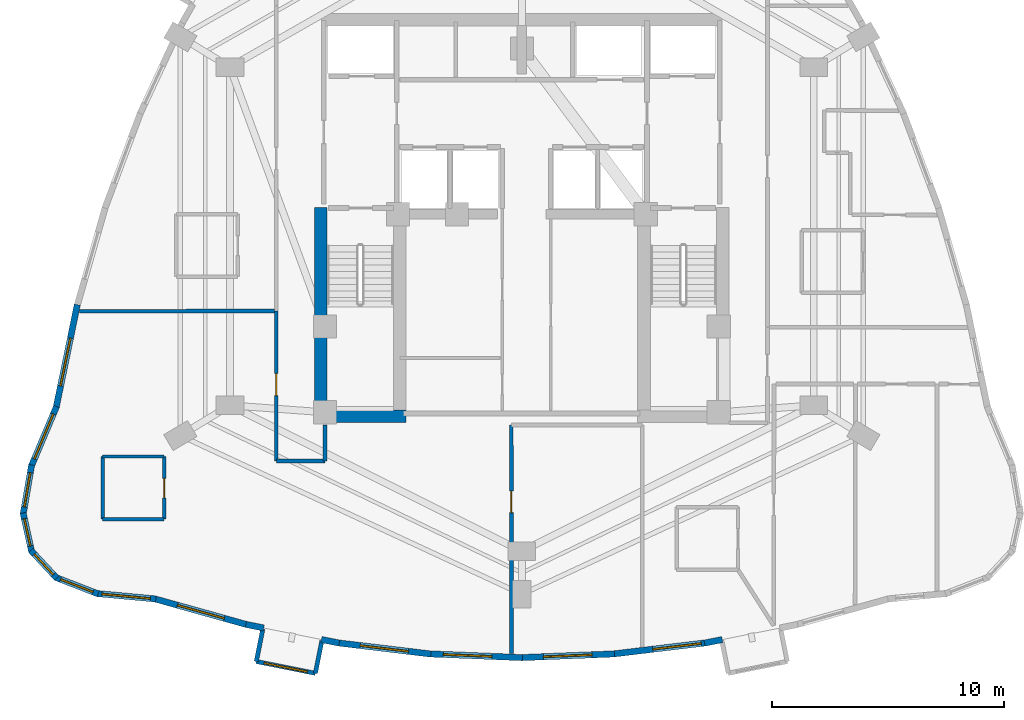
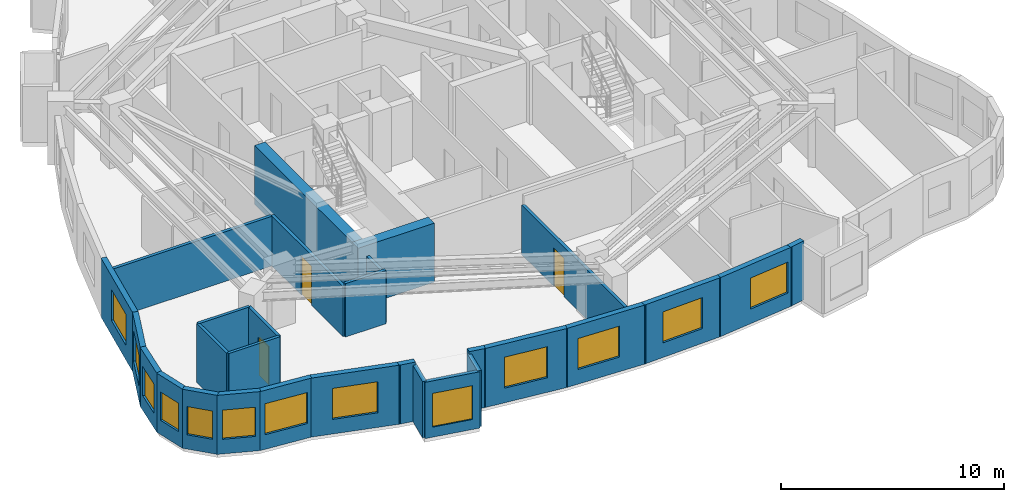
# One storey, part 6 of 12: 29 walls, 13 windows, 3 doors, 16 openings.
"""IFC4 building model written with IfcOpenShell, lengths in metres."""

from ifc_helpers import new_model, si_unit, direction, frame, frame_2d, origin, place, context, subcontext, project, spatial, rectangle, extrude, material, layer, layer_set, type_object, element, fill, save


model = new_model("IFC4")

# Units and contexts
model_context = context("Model", 3, precision=1e-05, world=origin(), true_north=direction((0.0, 1.0)))
body_context = subcontext(model_context, "Body", "Model", "MODEL_VIEW")
ifc_project = project(units=[si_unit("LENGTHUNIT", "METRE"), si_unit("AREAUNIT", "SQUARE_METRE"), si_unit("VOLUMEUNIT", "CUBIC_METRE"), si_unit("PLANEANGLEUNIT", "RADIAN"), si_unit("MASSUNIT", "GRAM", prefix="KILO")], contexts=[model_context])

# Site, building, storey
site_placement = place(None, origin())
site = spatial("IfcSite", under=ifc_project, at=site_placement, CompositionType="ELEMENT")
building_placement = place(site_placement, origin())
building = spatial("IfcBuilding", under=site, at=building_placement, Name="Miruveldt Soraemaru", CompositionType="ELEMENT")
storey_placement = place(building_placement, frame((0.0, 0.0, 145.89990234375)))
storey = spatial("IfcBuildingStorey", under=building, at=storey_placement, Name="L40", CompositionType="ELEMENT", Elevation=145.89990234375)

# Walls
ifc_material_1 = material(Name="White powder-coated aluminium EN AW-6060 T6", Category="aluminium")
ifc_layer_1 = layer(ifc_material_1, 0.18994140625, Name="White powder-coated aluminium EN AW-6060 T6", Category="aluminium")
ifc_layer_set_1 = layer_set([ifc_layer_1], Name="White powder-coated aluminium EN AW-6060 T6")
wall_type_1 = type_object("IfcWallType", Name="WALL-BAY-ALU190", PredefinedType="SOLIDWALL", material=ifc_layer_set_1)
wall_1_placement = place(storey_placement, frame((32.818603515625, 26.140625, 0.0), z_axis=(0.0, 0.0, 1.0), x_axis=(-0.196182033934, -0.980567493629, 0.0)))
element("IfcWall", 1, at=wall_1_placement, inside=storey, type_object=wall_type_1, Name="L40 Bay Window Side Cheek 2L", PredefinedType="SOLIDWALL", context=body_context, shape_type="SweptSolid", body=[
    extrude(rectangle(XDim=1.4248046875, YDim=0.18994140625, at=frame_2d((0.71240234375, 0.0))), origin(), (0.0, 0.0, 1.0), 3.085205078125),
])
wall_2_placement = place(storey_placement, frame((35.088623046875, 24.2333984375, 0.0), z_axis=(0.0, 0.0, 1.0), x_axis=(0.196149079112, 0.980574086321, 0.0)))
element("IfcWall", 2, at=wall_2_placement, inside=storey, type_object=wall_type_1, Name="L40 Bay Window Side Cheek 2R", PredefinedType="SOLIDWALL", context=body_context, shape_type="SweptSolid", body=[
    extrude(rectangle(XDim=1.425048828125, YDim=0.18994140625, at=frame_2d((0.71240234375, 0.0))), origin(), (0.0, 0.0, 1.0), 3.085205078125),
])

# Wall, opening, window
wall_3_placement = place(storey_placement, frame((32.5390625, 24.743408203125, 0.0), z_axis=(0.0, 0.0, 1.0), x_axis=(0.980573452128, -0.196152249497, 0.0)))
wall_3 = element("IfcWall", 3, at=wall_3_placement, inside=storey, type_object=wall_type_1, Name="L40 Bay Window Front Frame 2", PredefinedType="SOLIDWALL", context=body_context, shape_type="SweptSolid", body=[
    extrude(rectangle(XDim=2.60009765625, YDim=0.18994140625, at=frame_2d((1.300048828125, 0.0))), origin(), (0.0, 0.0, 1.0), 3.085205078125),
])
opening_1_placement = place(wall_3_placement, frame((0.35009765625, 0.0, 0.550048828125)))
opening_1 = element("IfcOpeningElement", 4, at=opening_1_placement, cuts=wall_3, Name="Opening WN-6", PredefinedType="OPENING", context=body_context, shape_type="SweptSolid", body=[
    extrude(rectangle(XDim=1.89990234375, YDim=1.85009765625, at=frame_2d((0.949951171875, 0.925048828125))), frame((0.0, 0.10498046875, 0.0), z_axis=(0.0, -1.0, 0.0), x_axis=(1.0, 0.0, 0.0)), (0.0, 0.0, 1.0), 0.2099609375),
])
ifc_material_2 = material(Name="Triple low-e insulated glazing", Category="glass")
window_type_1 = type_object("IfcWindowType", Name="WIN-BAYW-1900x1850", PartitioningType="SINGLE_PANEL", PredefinedType="WINDOW", material=ifc_material_2)
window_1_placement = place(opening_1_placement, origin())
window_1 = element("IfcWindow", 5, at=window_1_placement, inside=storey, type_object=window_type_1, Name="L40 Projecting Bay Window 2", OverallHeight=1.85009765625, OverallWidth=1.89990234375, PartitioningType="SINGLE_PANEL", PredefinedType="WINDOW", context=body_context, shape_type="SweptSolid", body=[
    extrude(rectangle(XDim=1.89990234375, YDim=1.85009765625, at=frame_2d((0.949951171875, 0.925048828125))), frame((0.0, 0.030029296875, 0.0), z_axis=(0.0, -1.0, 0.0), x_axis=(1.0, 0.0, 0.0)), (0.0, 0.0, 1.0), 0.06005859375),
])
fill(opening_1, window_1)

# Walls
ifc_material_3 = material(Name="Concrete C70/85 (70 MPa)", Category="concrete")
ifc_layer_2 = layer(ifc_material_3, 0.550048828125, Name="Concrete C70/85 (70 MPa)", Category="concrete")
ifc_layer_set_2 = layer_set([ifc_layer_2], Name="Concrete C70/85 (70 MPa)")
wall_type_2 = type_object("IfcWallType", Name="WALL-CW-550", PredefinedType="SHEAR", material=ifc_layer_set_2)
wall_4_placement = place(storey_placement, frame((35.050048828125, 35.324951171875, 0.0), z_axis=(0.0, 0.0, 1.0), x_axis=(1.0, 0.0, 0.0)))
element("IfcWall", 6, at=wall_4_placement, inside=storey, type_object=wall_type_2, Name="L40 Central Core Shear Wall S1", PredefinedType="SHEAR", context=body_context, shape_type="SweptSolid", body=[
    extrude(rectangle(XDim=3.949951171875, YDim=0.550048828125, at=frame_2d((1.97509765625, 0.0))), origin(), (0.0, 0.0, 1.0), 3.235107421875),
])
wall_5_placement = place(storey_placement, frame((35.324951171875, 35.050048828125, 0.0), z_axis=(0.0, 0.0, 1.0), x_axis=(0.0, 1.0, 0.0)))
element("IfcWall", 7, at=wall_5_placement, inside=storey, type_object=wall_type_2, Name="L40 Central Core Shear Wall W1", PredefinedType="SHEAR", context=body_context, shape_type="SweptSolid", body=[
    extrude(rectangle(XDim=9.300048828125, YDim=0.550048828125, at=frame_2d((4.64990234375, 0.0))), origin(), (0.0, 0.0, 1.0), 3.235107421875),
])

# Wall, opening, window
ifc_material_4 = material(Name="Precast concrete C45/55 (45 MPa)", Category="concrete")
ifc_layer_3 = layer(ifc_material_4, 0.27001953125, Name="Precast concrete C45/55 (45 MPa)", Category="concrete")
ifc_layer_set_3 = layer_set([ifc_layer_3], Name="Precast concrete C45/55 (45 MPa)")
wall_type_3 = type_object("IfcWallType", Name="WALL-EXT-PC270", PredefinedType="SOLIDWALL", material=ifc_layer_set_3)
wall_6_placement = place(storey_placement, frame((24.811279296875, 40.1484375, 0.0), z_axis=(0.0, 0.0, 1.0), x_axis=(-0.201554632972, -0.979477273819, 0.0)))
wall_6 = element("IfcWall", 8, at=wall_6_placement, inside=storey, type_object=wall_type_3, Name="L40 Precast Concrete Facade Wall 14", PredefinedType="SOLIDWALL", context=body_context, shape_type="SweptSolid", body=[
    extrude(rectangle(XDim=4.5556640625, YDim=0.27001953125, at=frame_2d((2.27783203125, 0.0))), origin(), (0.0, 0.0, 1.0), 3.235107421875),
])
opening_2_placement = place(wall_6_placement, frame((1.47998046875, 0.0, 0.800048828125)))
opening_2 = element("IfcOpeningElement", 9, at=opening_2_placement, cuts=wall_6, Name="Opening WN-1", PredefinedType="OPENING", context=body_context, shape_type="SweptSolid", body=[
    extrude(rectangle(XDim=2.10009765625, YDim=1.699951171875, at=frame_2d((1.050048828125, 0.85009765625))), frame((0.0, 0.14501953125, 0.0), z_axis=(0.0, -1.0, 0.0), x_axis=(1.0, 0.0, 0.0)), (0.0, 0.0, 1.0), 0.2900390625),
])
window_type_2 = type_object("IfcWindowType", Name="WIN-PUNCH-2100x1700", PartitioningType="SINGLE_PANEL", PredefinedType="WINDOW", material=ifc_material_2)
window_2_placement = place(opening_2_placement, origin())
window_2 = element("IfcWindow", 10, at=window_2_placement, inside=storey, type_object=window_type_2, Name="L40 Punched Triple-Glazed Window 14.1", OverallHeight=1.699951171875, OverallWidth=2.10009765625, PartitioningType="SINGLE_PANEL", PredefinedType="WINDOW", context=body_context, shape_type="SweptSolid", body=[
    extrude(rectangle(XDim=2.10009765625, YDim=1.699951171875, at=frame_2d((1.050048828125, 0.85009765625))), frame((0.0, 0.030029296875, 0.0), z_axis=(0.0, -1.0, 0.0), x_axis=(1.0, 0.0, 0.0)), (0.0, 0.0, 1.0), 0.06005859375),
])
fill(opening_2, window_2)

wall_7_placement = place(storey_placement, frame((23.913818359375, 35.752685546875, 0.0), z_axis=(0.0, 0.0, 1.0), x_axis=(-0.388688999756, -0.921369014819, 0.0)))
wall_7 = element("IfcWall", 11, at=wall_7_placement, inside=storey, type_object=wall_type_3, Name="L40 Precast Concrete Facade Wall 15", PredefinedType="SOLIDWALL", context=body_context, shape_type="SweptSolid", body=[
    extrude(rectangle(XDim=2.814453125, YDim=0.27001953125, at=frame_2d((1.4072265625, 0.0))), origin(), (0.0, 0.0, 1.0), 3.235107421875),
])
opening_3_placement = place(wall_7_placement, frame((0.35693359375, 0.0, 0.800048828125)))
opening_3 = element("IfcOpeningElement", 12, at=opening_3_placement, cuts=wall_7, Name="Opening WN-1", PredefinedType="OPENING", context=body_context, shape_type="SweptSolid", body=[
    extrude(rectangle(XDim=2.10009765625, YDim=1.699951171875, at=frame_2d((1.050048828125, 0.85009765625))), frame((0.0, 0.14501953125, 0.0), z_axis=(0.0, -1.0, 0.0), x_axis=(1.0, 0.0, 0.0)), (0.0, 0.0, 1.0), 0.2900390625),
])
window_3_placement = place(opening_3_placement, origin())
window_3 = element("IfcWindow", 13, at=window_3_placement, inside=storey, type_object=window_type_2, Name="L40 Punched Triple-Glazed Window 15.1", OverallHeight=1.699951171875, OverallWidth=2.10009765625, PartitioningType="SINGLE_PANEL", PredefinedType="WINDOW", context=body_context, shape_type="SweptSolid", body=[
    extrude(rectangle(XDim=2.10009765625, YDim=1.699951171875, at=frame_2d((1.050048828125, 0.85009765625))), frame((0.0, 0.030029296875, 0.0), z_axis=(0.0, -1.0, 0.0), x_axis=(1.0, 0.0, 0.0)), (0.0, 0.0, 1.0), 0.06005859375),
])
fill(opening_3, window_3)

wall_8_placement = place(storey_placement, frame((22.83935546875, 33.22607421875, 0.0), z_axis=(0.0, 0.0, 1.0), x_axis=(-0.169360474061, -0.985554173968, 0.0)))
wall_8 = element("IfcWall", 14, at=wall_8_placement, inside=storey, type_object=wall_type_3, Name="L40 Precast Concrete Facade Wall 16", PredefinedType="SOLIDWALL", context=body_context, shape_type="SweptSolid", body=[
    extrude(rectangle(XDim=2.16943359375, YDim=0.27001953125, at=frame_2d((1.084716796875, 0.0))), origin(), (0.0, 0.0, 1.0), 3.235107421875),
])
opening_4_placement = place(wall_8_placement, frame((0.3349609375, 0.0, 0.800048828125)))
opening_4 = element("IfcOpeningElement", 15, at=opening_4_placement, cuts=wall_8, Name="Opening WN-3", PredefinedType="OPENING", context=body_context, shape_type="SweptSolid", body=[
    extrude(rectangle(XDim=1.5, YDim=1.60009765625, at=frame_2d((0.75, 0.800048828125))), frame((0.0, 0.14501953125, 0.0), z_axis=(0.0, -1.0, 0.0), x_axis=(1.0, 0.0, 0.0)), (0.0, 0.0, 1.0), 0.2900390625),
])
window_type_3 = type_object("IfcWindowType", Name="WIN-PUNCH-1500x1600", PartitioningType="SINGLE_PANEL", PredefinedType="WINDOW", material=ifc_material_2)
window_4_placement = place(opening_4_placement, origin())
window_4 = element("IfcWindow", 16, at=window_4_placement, inside=storey, type_object=window_type_3, Name="L40 Punched Triple-Glazed Window 16.1", OverallHeight=1.60009765625, OverallWidth=1.5, PartitioningType="SINGLE_PANEL", PredefinedType="WINDOW", context=body_context, shape_type="SweptSolid", body=[
    extrude(rectangle(XDim=1.5, YDim=1.60009765625, at=frame_2d((0.75, 0.800048828125))), frame((0.0, 0.030029296875, 0.0), z_axis=(0.0, -1.0, 0.0), x_axis=(1.0, 0.0, 0.0)), (0.0, 0.0, 1.0), 0.06005859375),
])
fill(opening_4, window_4)

wall_9_placement = place(storey_placement, frame((22.470458984375, 31.156494140625, 0.0), z_axis=(0.0, 0.0, 1.0), x_axis=(0.215561098386, -0.976490354721, 0.0)))
wall_9 = element("IfcWall", 17, at=wall_9_placement, inside=storey, type_object=wall_type_3, Name="L40 Precast Concrete Facade Wall 17", PredefinedType="SOLIDWALL", context=body_context, shape_type="SweptSolid", body=[
    extrude(rectangle(XDim=1.718017578125, YDim=0.27001953125, at=frame_2d((0.85888671875, 0.0))), origin(), (0.0, 0.0, 1.0), 3.235107421875),
])
opening_5_placement = place(wall_9_placement, frame((0.259033203125, 0.0, 0.780029296875)))
opening_5 = element("IfcOpeningElement", 18, at=opening_5_placement, cuts=wall_9, Name="Opening WN-4", PredefinedType="OPENING", context=body_context, shape_type="SweptSolid", body=[
    extrude(rectangle(XDim=1.199951171875, YDim=1.550048828125, at=frame_2d((0.60009765625, 0.77490234375))), frame((0.0, 0.14501953125, 0.0), z_axis=(0.0, -1.0, 0.0), x_axis=(1.0, 0.0, 0.0)), (0.0, 0.0, 1.0), 0.2900390625),
])
window_type_4 = type_object("IfcWindowType", Name="WIN-PUNCH-1200x1550", PartitioningType="SINGLE_PANEL", PredefinedType="WINDOW", material=ifc_material_2)
window_5_placement = place(opening_5_placement, origin())
window_5 = element("IfcWindow", 19, at=window_5_placement, inside=storey, type_object=window_type_4, Name="L40 Punched Triple-Glazed Window 17.1", OverallHeight=1.550048828125, OverallWidth=1.199951171875, PartitioningType="SINGLE_PANEL", PredefinedType="WINDOW", context=body_context, shape_type="SweptSolid", body=[
    extrude(rectangle(XDim=1.199951171875, YDim=1.550048828125, at=frame_2d((0.60009765625, 0.77490234375))), frame((0.0, 0.030029296875, 0.0), z_axis=(0.0, -1.0, 0.0), x_axis=(1.0, 0.0, 0.0)), (0.0, 0.0, 1.0), 0.06005859375),
])
fill(opening_5, window_5)

wall_10_placement = place(storey_placement, frame((22.8095703125, 29.538818359375, 0.0), z_axis=(0.0, 0.0, 1.0), x_axis=(0.680159524086, -0.733064132116, 0.0)))
wall_10 = element("IfcWall", 20, at=wall_10_placement, inside=storey, type_object=wall_type_3, Name="L40 Precast Concrete Facade Wall 18", PredefinedType="SOLIDWALL", context=body_context, shape_type="SweptSolid", body=[
    extrude(rectangle(XDim=1.63818359375, YDim=0.27001953125, at=frame_2d((0.819091796875, 0.0))), origin(), (0.0, 0.0, 1.0), 3.235107421875),
])
opening_6_placement = place(wall_10_placement, frame((0.218994140625, 0.0, 0.780029296875)))
opening_6 = element("IfcOpeningElement", 21, at=opening_6_placement, cuts=wall_10, Name="Opening WN-4", PredefinedType="OPENING", context=body_context, shape_type="SweptSolid", body=[
    extrude(rectangle(XDim=1.199951171875, YDim=1.550048828125, at=frame_2d((0.60009765625, 0.77490234375))), frame((0.0, 0.14501953125, 0.0), z_axis=(0.0, -1.0, 0.0), x_axis=(1.0, 0.0, 0.0)), (0.0, 0.0, 1.0), 0.2900390625),
])
window_6_placement = place(opening_6_placement, origin())
window_6 = element("IfcWindow", 22, at=window_6_placement, inside=storey, type_object=window_type_4, Name="L40 Punched Triple-Glazed Window 18.1", OverallHeight=1.550048828125, OverallWidth=1.199951171875, PartitioningType="SINGLE_PANEL", PredefinedType="WINDOW", context=body_context, shape_type="SweptSolid", body=[
    extrude(rectangle(XDim=1.199951171875, YDim=1.550048828125, at=frame_2d((0.60009765625, 0.77490234375))), frame((0.0, 0.030029296875, 0.0), z_axis=(0.0, -1.0, 0.0), x_axis=(1.0, 0.0, 0.0)), (0.0, 0.0, 1.0), 0.06005859375),
])
fill(opening_6, window_6)

wall_11_placement = place(storey_placement, frame((23.867431640625, 28.376220703125, 0.0), z_axis=(0.0, 0.0, 1.0), x_axis=(0.932243176996, -0.361832363041, 0.0)))
wall_11 = element("IfcWall", 23, at=wall_11_placement, inside=storey, type_object=wall_type_3, Name="L40 Precast Concrete Facade Wall 19", PredefinedType="SOLIDWALL", context=body_context, shape_type="SweptSolid", body=[
    extrude(rectangle(XDim=1.97705078125, YDim=0.27001953125, at=frame_2d((0.988525390625, 0.0))), origin(), (0.0, 0.0, 1.0), 3.235107421875),
])
opening_7_placement = place(wall_11_placement, frame((0.238037109375, 0.0, 0.800048828125)))
opening_7 = element("IfcOpeningElement", 24, at=opening_7_placement, cuts=wall_11, Name="Opening WN-3", PredefinedType="OPENING", context=body_context, shape_type="SweptSolid", body=[
    extrude(rectangle(XDim=1.5, YDim=1.60009765625, at=frame_2d((0.75, 0.800048828125))), frame((0.0, 0.14501953125, 0.0), z_axis=(0.0, -1.0, 0.0), x_axis=(1.0, 0.0, 0.0)), (0.0, 0.0, 1.0), 0.2900390625),
])
window_7_placement = place(opening_7_placement, origin())
window_7 = element("IfcWindow", 25, at=window_7_placement, inside=storey, type_object=window_type_3, Name="L40 Punched Triple-Glazed Window 19.1", OverallHeight=1.60009765625, OverallWidth=1.5, PartitioningType="SINGLE_PANEL", PredefinedType="WINDOW", context=body_context, shape_type="SweptSolid", body=[
    extrude(rectangle(XDim=1.5, YDim=1.60009765625, at=frame_2d((0.75, 0.800048828125))), frame((0.0, 0.030029296875, 0.0), z_axis=(0.0, -1.0, 0.0), x_axis=(1.0, 0.0, 0.0)), (0.0, 0.0, 1.0), 0.06005859375),
])
fill(opening_7, window_7)

wall_12_placement = place(storey_placement, frame((25.642822265625, 27.677001953125, 0.0), z_axis=(0.0, 0.0, 1.0), x_axis=(0.995762129264, -0.091966199898, 0.0)))
wall_12 = element("IfcWall", 26, at=wall_12_placement, inside=storey, type_object=wall_type_3, Name="L40 Precast Concrete Facade Wall 20", PredefinedType="SOLIDWALL", context=body_context, shape_type="SweptSolid", body=[
    extrude(rectangle(XDim=2.56982421875, YDim=0.27001953125, at=frame_2d((1.284912109375, 0.0))), origin(), (0.0, 0.0, 1.0), 3.235107421875),
])
opening_8_placement = place(wall_12_placement, frame((0.235107421875, 0.0, 0.800048828125)))
opening_8 = element("IfcOpeningElement", 27, at=opening_8_placement, cuts=wall_12, Name="Opening WN-1", PredefinedType="OPENING", context=body_context, shape_type="SweptSolid", body=[
    extrude(rectangle(XDim=2.10009765625, YDim=1.699951171875, at=frame_2d((1.050048828125, 0.85009765625))), frame((0.0, 0.14501953125, 0.0), z_axis=(0.0, -1.0, 0.0), x_axis=(1.0, 0.0, 0.0)), (0.0, 0.0, 1.0), 0.2900390625),
])
window_8_placement = place(opening_8_placement, origin())
window_8 = element("IfcWindow", 28, at=window_8_placement, inside=storey, type_object=window_type_2, Name="L40 Punched Triple-Glazed Window 20.1", OverallHeight=1.699951171875, OverallWidth=2.10009765625, PartitioningType="SINGLE_PANEL", PredefinedType="WINDOW", context=body_context, shape_type="SweptSolid", body=[
    extrude(rectangle(XDim=2.10009765625, YDim=1.699951171875, at=frame_2d((1.050048828125, 0.85009765625))), frame((0.0, 0.030029296875, 0.0), z_axis=(0.0, -1.0, 0.0), x_axis=(1.0, 0.0, 0.0)), (0.0, 0.0, 1.0), 0.06005859375),
])
fill(opening_8, window_8)

wall_13_placement = place(storey_placement, frame((28.133056640625, 27.453125, 0.0), z_axis=(0.0, 0.0, 1.0), x_axis=(0.962977968869, -0.269580102147, 0.0)))
wall_13 = element("IfcWall", 29, at=wall_13_placement, inside=storey, type_object=wall_type_3, Name="L40 Precast Concrete Facade Wall 21", PredefinedType="SOLIDWALL", context=body_context, shape_type="SweptSolid", body=[
    extrude(rectangle(XDim=4.180419921875, YDim=0.27001953125, at=frame_2d((2.09033203125, 0.0))), origin(), (0.0, 0.0, 1.0), 3.235107421875),
])
opening_9_placement = place(wall_13_placement, frame((1.0400390625, 0.0, 0.800048828125)))
opening_9 = element("IfcOpeningElement", 30, at=opening_9_placement, cuts=wall_13, Name="Opening WN-1", PredefinedType="OPENING", context=body_context, shape_type="SweptSolid", body=[
    extrude(rectangle(XDim=2.10009765625, YDim=1.699951171875, at=frame_2d((1.050048828125, 0.85009765625))), frame((0.0, 0.14501953125, 0.0), z_axis=(0.0, -1.0, 0.0), x_axis=(1.0, 0.0, 0.0)), (0.0, 0.0, 1.0), 0.2900390625),
])
window_9_placement = place(opening_9_placement, origin())
window_9 = element("IfcWindow", 31, at=window_9_placement, inside=storey, type_object=window_type_2, Name="L40 Punched Triple-Glazed Window 21.1", OverallHeight=1.699951171875, OverallWidth=2.10009765625, PartitioningType="SINGLE_PANEL", PredefinedType="WINDOW", context=body_context, shape_type="SweptSolid", body=[
    extrude(rectangle(XDim=2.10009765625, YDim=1.699951171875, at=frame_2d((1.050048828125, 0.85009765625))), frame((0.0, 0.030029296875, 0.0), z_axis=(0.0, -1.0, 0.0), x_axis=(1.0, 0.0, 0.0)), (0.0, 0.0, 1.0), 0.06005859375),
])
fill(opening_9, window_9)

# Walls
for number, where, z_axis, x_axis, name in (
    (32, (32.0908203125, 26.34228515625, 0.0), (0.0, 0.0, 1.0), (0.98059266213, -0.196056193414, 0.0), "L40 Precast Pier Wall 22A"),
    (33, (35.349609375, 25.690673828125, 0.0), (0.0, 0.0, 1.0), (0.980532696228, -0.196355880046, 0.0), "L40 Precast Pier Wall 22B"),
):
    element("IfcWall", number, at=place(storey_placement, frame(where, z_axis=z_axis, x_axis=x_axis)), inside=storey, type_object=wall_type_3, Name=name, PredefinedType="SOLIDWALL", context=body_context, shape_type="SweptSolid", body=[
        extrude(rectangle(XDim=0.783203125, YDim=0.27001953125, at=frame_2d((0.3916015625, 0.0))), origin(), (0.0, 0.0, 1.0), 3.235107421875),
    ])

# Wall, opening, window
wall_14_placement = place(storey_placement, frame((36.048583984375, 25.548095703125, 0.0), z_axis=(0.0, 0.0, 1.0), x_axis=(0.992875129761, -0.119159459142, 0.0)))
wall_14 = element("IfcWall", 34, at=wall_14_placement, inside=storey, type_object=wall_type_3, Name="L40 Precast Concrete Facade Wall 23", PredefinedType="SOLIDWALL", context=body_context, shape_type="SweptSolid", body=[
    extrude(rectangle(XDim=4.056640625, YDim=0.27001953125, at=frame_2d((2.0283203125, 0.0))), origin(), (0.0, 0.0, 1.0), 3.235107421875),
])
opening_10_placement = place(wall_14_placement, frame((0.97802734375, 0.0, 0.800048828125)))
opening_10 = element("IfcOpeningElement", 35, at=opening_10_placement, cuts=wall_14, Name="Opening WN-1", PredefinedType="OPENING", context=body_context, shape_type="SweptSolid", body=[
    extrude(rectangle(XDim=2.10009765625, YDim=1.699951171875, at=frame_2d((1.050048828125, 0.85009765625))), frame((0.0, 0.14501953125, 0.0), z_axis=(0.0, -1.0, 0.0), x_axis=(1.0, 0.0, 0.0)), (0.0, 0.0, 1.0), 0.2900390625),
])
window_10_placement = place(opening_10_placement, origin())
window_10 = element("IfcWindow", 36, at=window_10_placement, inside=storey, type_object=window_type_2, Name="L40 Punched Triple-Glazed Window 23.1", OverallHeight=1.699951171875, OverallWidth=2.10009765625, PartitioningType="SINGLE_PANEL", PredefinedType="WINDOW", context=body_context, shape_type="SweptSolid", body=[
    extrude(rectangle(XDim=2.10009765625, YDim=1.699951171875, at=frame_2d((1.050048828125, 0.85009765625))), frame((0.0, 0.030029296875, 0.0), z_axis=(0.0, -1.0, 0.0), x_axis=(1.0, 0.0, 0.0)), (0.0, 0.0, 1.0), 0.06005859375),
])
fill(opening_10, window_10)

wall_15_placement = place(storey_placement, frame((40.006591796875, 25.0703125, 0.0), z_axis=(0.0, 0.0, 1.0), x_axis=(0.999200958722, -0.039968038349, 0.0)))
wall_15 = element("IfcWall", 37, at=wall_15_placement, inside=storey, type_object=wall_type_3, Name="L40 Precast Concrete Facade Wall 24", PredefinedType="SOLIDWALL", context=body_context, shape_type="SweptSolid", body=[
    extrude(rectangle(XDim=4.031494140625, YDim=0.27001953125, at=frame_2d((2.015625, 0.0))), origin(), (0.0, 0.0, 1.0), 3.235107421875),
])
opening_11_placement = place(wall_15_placement, frame((0.60107421875, 0.0, 0.800048828125)))
opening_11 = element("IfcOpeningElement", 38, at=opening_11_placement, cuts=wall_15, Name="Opening WN-1", PredefinedType="OPENING", context=body_context, shape_type="SweptSolid", body=[
    extrude(rectangle(XDim=2.10009765625, YDim=1.699951171875, at=frame_2d((1.050048828125, 0.85009765625))), frame((0.0, 0.14501953125, 0.0), z_axis=(0.0, -1.0, 0.0), x_axis=(1.0, 0.0, 0.0)), (0.0, 0.0, 1.0), 0.2900390625),
])
window_11_placement = place(opening_11_placement, origin())
window_11 = element("IfcWindow", 39, at=window_11_placement, inside=storey, type_object=window_type_2, Name="L40 Punched Triple-Glazed Window 24.1", OverallHeight=1.699951171875, OverallWidth=2.10009765625, PartitioningType="SINGLE_PANEL", PredefinedType="WINDOW", context=body_context, shape_type="SweptSolid", body=[
    extrude(rectangle(XDim=2.10009765625, YDim=1.699951171875, at=frame_2d((1.050048828125, 0.85009765625))), frame((0.0, 0.030029296875, 0.0), z_axis=(0.0, -1.0, 0.0), x_axis=(1.0, 0.0, 0.0)), (0.0, 0.0, 1.0), 0.06005859375),
])
fill(opening_11, window_11)

wall_16_placement = place(storey_placement, frame((43.965087890625, 24.9091796875, 0.0), z_axis=(0.0, 0.0, 1.0), x_axis=(0.999200958722, 0.039968038349, 0.0)))
wall_16 = element("IfcWall", 40, at=wall_16_placement, inside=storey, type_object=wall_type_3, Name="L40 Precast Concrete Facade Wall 25", PredefinedType="SOLIDWALL", context=body_context, shape_type="SweptSolid", body=[
    extrude(rectangle(XDim=4.031494140625, YDim=0.27001953125, at=frame_2d((2.015625, 0.0))), origin(), (0.0, 0.0, 1.0), 3.235107421875),
])
opening_12_placement = place(wall_16_placement, frame((0.966064453125, 0.0, 0.800048828125)))
opening_12 = element("IfcOpeningElement", 41, at=opening_12_placement, cuts=wall_16, Name="Opening WN-1", PredefinedType="OPENING", context=body_context, shape_type="SweptSolid", body=[
    extrude(rectangle(XDim=2.10009765625, YDim=1.699951171875, at=frame_2d((1.050048828125, 0.85009765625))), frame((0.0, 0.14501953125, 0.0), z_axis=(0.0, -1.0, 0.0), x_axis=(1.0, 0.0, 0.0)), (0.0, 0.0, 1.0), 0.2900390625),
])
window_12_placement = place(opening_12_placement, origin())
window_12 = element("IfcWindow", 42, at=window_12_placement, inside=storey, type_object=window_type_2, Name="L40 Punched Triple-Glazed Window 25.1", OverallHeight=1.699951171875, OverallWidth=2.10009765625, PartitioningType="SINGLE_PANEL", PredefinedType="WINDOW", context=body_context, shape_type="SweptSolid", body=[
    extrude(rectangle(XDim=2.10009765625, YDim=1.699951171875, at=frame_2d((1.050048828125, 0.85009765625))), frame((0.0, 0.030029296875, 0.0), z_axis=(0.0, -1.0, 0.0), x_axis=(1.0, 0.0, 0.0)), (0.0, 0.0, 1.0), 0.06005859375),
])
fill(opening_12, window_12)

wall_17_placement = place(storey_placement, frame((47.923583984375, 25.064697265625, 0.0), z_axis=(0.0, 0.0, 1.0), x_axis=(0.992875129761, 0.119159459142, 0.0)))
wall_17 = element("IfcWall", 43, at=wall_17_placement, inside=storey, type_object=wall_type_3, Name="L40 Precast Concrete Facade Wall 26", PredefinedType="SOLIDWALL", context=body_context, shape_type="SweptSolid", body=[
    extrude(rectangle(XDim=4.056640625, YDim=0.27001953125, at=frame_2d((2.0283203125, 0.0))), origin(), (0.0, 0.0, 1.0), 3.235107421875),
])
opening_13_placement = place(wall_17_placement, frame((1.74609375, 0.0, 0.800048828125)))
opening_13 = element("IfcOpeningElement", 44, at=opening_13_placement, cuts=wall_17, Name="Opening WN-1", PredefinedType="OPENING", context=body_context, shape_type="SweptSolid", body=[
    extrude(rectangle(XDim=2.10009765625, YDim=1.699951171875, at=frame_2d((1.050048828125, 0.85009765625))), frame((0.0, 0.14501953125, 0.0), z_axis=(0.0, -1.0, 0.0), x_axis=(1.0, 0.0, 0.0)), (0.0, 0.0, 1.0), 0.2900390625),
])
window_13_placement = place(opening_13_placement, origin())
window_13 = element("IfcWindow", 45, at=window_13_placement, inside=storey, type_object=window_type_2, Name="L40 Punched Triple-Glazed Window 26.1", OverallHeight=1.699951171875, OverallWidth=2.10009765625, PartitioningType="SINGLE_PANEL", PredefinedType="WINDOW", context=body_context, shape_type="SweptSolid", body=[
    extrude(rectangle(XDim=2.10009765625, YDim=1.699951171875, at=frame_2d((1.050048828125, 0.85009765625))), frame((0.0, 0.030029296875, 0.0), z_axis=(0.0, -1.0, 0.0), x_axis=(1.0, 0.0, 0.0)), (0.0, 0.0, 1.0), 0.06005859375),
])
fill(opening_13, window_13)

# Wall
wall_18_placement = place(storey_placement, frame((51.88232421875, 25.536865234375, 0.0), z_axis=(0.0, 0.0, 1.0), x_axis=(0.980532696228, 0.196355880046, 0.0)))
element("IfcWall", 46, at=wall_18_placement, inside=storey, type_object=wall_type_3, Name="L40 Precast Pier Wall 27A", PredefinedType="SOLIDWALL", context=body_context, shape_type="SweptSolid", body=[
    extrude(rectangle(XDim=0.783203125, YDim=0.27001953125, at=frame_2d((0.3916015625, 0.0))), origin(), (0.0, 0.0, 1.0), 3.235107421875),
])

# Wall, opening, door
ifc_material_5 = material(Name="Gypsum plasterboard lining", Category="gypsum")
ifc_layer_4 = layer(ifc_material_5, 0.14990234375, Name="Gypsum plasterboard lining", Category="gypsum")
ifc_layer_set_4 = layer_set([ifc_layer_4], Name="Gypsum plasterboard lining")
wall_type_4 = type_object("IfcWallType", Name="WALL-INT-PLUMB", PredefinedType="PLUMBINGWALL", material=ifc_layer_set_4)
wall_19_placement = place(storey_placement, frame((28.55810546875, 30.89306640625, 0.0), z_axis=(0.0, 0.0, 1.0), x_axis=(0.0, 1.0, 0.0)))
wall_19 = element("IfcWall", 47, at=wall_19_placement, inside=storey, type_object=wall_type_4, Name="L40 Partition Wall 31", PredefinedType="PLUMBINGWALL", context=body_context, shape_type="SweptSolid", body=[
    extrude(rectangle(XDim=2.699951171875, YDim=0.14990234375, at=frame_2d((1.35009765625, 0.0))), origin(), (0.0, 0.0, 1.0), 3.235107421875),
])
opening_14_placement = place(wall_19_placement, frame((0.909912109375, 0.0, 0.0)))
opening_14 = element("IfcOpeningElement", 48, at=opening_14_placement, cuts=wall_19, Name="Opening FD3", PredefinedType="OPENING", context=body_context, shape_type="SweptSolid", body=[
    extrude(rectangle(XDim=0.85009765625, YDim=2.10009765625, at=frame_2d((0.425048828125, 1.050048828125))), frame((0.0, 0.0849609375, 0.0), z_axis=(0.0, -1.0, 0.0), x_axis=(1.0, 0.0, 0.0)), (0.0, 0.0, 1.0), 0.169921875),
])
ifc_material_6 = material(Name="Anodised aluminium EN AW-6063 T6", Category="aluminium")
door_type_1 = type_object("IfcDoorType", Name="DOOR-FD3-850", OperationType="NOTDEFINED", PredefinedType="DOOR", material=ifc_material_6)
door_1_placement = place(opening_14_placement, origin())
door_1 = element("IfcDoor", 49, at=door_1_placement, inside=storey, type_object=door_type_1, Name="L40 Unit 4004 BTH Door", OperationType="SINGLE_SWING_RIGHT", OverallHeight=2.10009765625, OverallWidth=0.85009765625, PredefinedType="DOOR", context=body_context, shape_type="SweptSolid", body=[
    extrude(rectangle(XDim=0.85009765625, YDim=2.10009765625, at=frame_2d((0.425048828125, 1.050048828125))), frame((0.0, 0.02490234375, 0.0), z_axis=(0.0, -1.0, 0.0), x_axis=(1.0, 0.0, 0.0)), (0.0, 0.0, 1.0), 0.050048828125),
])
fill(opening_14, door_1)

# Walls
wall_20_placement = place(storey_placement, frame((25.907958984375, 33.593017578125, 0.0), z_axis=(0.0, 0.0, 1.0), x_axis=(0.0, -1.0, 0.0)))
element("IfcWall", 50, at=wall_20_placement, inside=storey, type_object=wall_type_4, Name="L40 Partition Wall 33", PredefinedType="PLUMBINGWALL", context=body_context, shape_type="SweptSolid", body=[
    extrude(rectangle(XDim=2.699951171875, YDim=0.14990234375, at=frame_2d((1.35009765625, 0.0))), origin(), (0.0, 0.0, 1.0), 3.235107421875),
])
for number, where, z_axis, x_axis, name in (
    (51, (28.55810546875, 33.593017578125, 0.0), (0.0, 0.0, 1.0), (-1.0, 0.0, 0.0), "L40 Partition Wall 32"),
    (52, (25.907958984375, 30.89306640625, 0.0), (0.0, 0.0, 1.0), (1.0, 0.0, 0.0), "L40 Partition Wall 34"),
):
    element("IfcWall", number, at=place(storey_placement, frame(where, z_axis=z_axis, x_axis=x_axis)), inside=storey, type_object=wall_type_4, Name=name, PredefinedType="PLUMBINGWALL", context=body_context, shape_type="SweptSolid", body=[
        extrude(rectangle(XDim=2.650146484375, YDim=0.14990234375, at=frame_2d((1.3251953125, 0.0))), origin(), (0.0, 0.0, 1.0), 3.235107421875),
    ])

# Wall, opening, door
ifc_material_7 = material(Name="Concrete C40/50 (40 MPa)", Category="concrete")
ifc_layer_5 = layer(ifc_material_7, 0.159912109375, Name="Concrete C40/50 (40 MPa)", Category="concrete")
ifc_layer_set_5 = layer_set([ifc_layer_5], Name="Concrete C40/50 (40 MPa)")
wall_type_5 = type_object("IfcWallType", Name="WALL-INT-RC160", PredefinedType="SOLIDWALL", material=ifc_layer_set_5)
wall_21_placement = place(storey_placement, frame((43.552001953125, 25.0791015625, 0.0), z_axis=(0.0, 0.0, 1.0), x_axis=(-0.000296801946, 0.999999955954, 0.0)))
wall_21 = element("IfcWall", 53, at=wall_21_placement, inside=storey, type_object=wall_type_5, Name="L40 Partition Wall 35", PredefinedType="SOLIDWALL", context=body_context, shape_type="SweptSolid", body=[
    extrude(rectangle(XDim=9.870849609375, YDim=0.159912109375, at=frame_2d((4.935546875, 0.0))), origin(), (0.0, 0.0, 1.0), 2.72314453125),
])
opening_15_placement = place(wall_21_placement, frame((6.095947265625, 0.0, 0.0)))
opening_15 = element("IfcOpeningElement", 54, at=opening_15_placement, cuts=wall_21, Name="Opening D3A", PredefinedType="OPENING", context=body_context, shape_type="SweptSolid", body=[
    extrude(rectangle(XDim=0.919921875, YDim=2.10009765625, at=frame_2d((0.4599609375, 1.050048828125))), frame((0.0, 0.08984375, 0.0), z_axis=(0.0, -1.0, 0.0), x_axis=(1.0, 0.0, 0.0)), (0.0, 0.0, 1.0), 0.179931640625),
])
door_type_2 = type_object("IfcDoorType", Name="DOOR-INT-920", OperationType="NOTDEFINED", PredefinedType="DOOR", material=ifc_material_6)
door_2_placement = place(opening_15_placement, origin())
door_2 = element("IfcDoor", 55, at=door_2_placement, inside=storey, type_object=door_type_2, Name="L40 Unit 4004 BD1 Door", OperationType="SINGLE_SWING_LEFT", OverallHeight=2.10009765625, OverallWidth=0.919921875, PredefinedType="DOOR", context=body_context, shape_type="SweptSolid", body=[
    extrude(rectangle(XDim=0.919921875, YDim=2.10009765625, at=frame_2d((0.4599609375, 1.050048828125))), frame((0.0, 0.02490234375, 0.0), z_axis=(0.0, -1.0, 0.0), x_axis=(1.0, 0.0, 0.0)), (0.0, 0.0, 1.0), 0.050048828125),
])
fill(opening_15, door_2)

wall_22_placement = place(storey_placement, frame((33.39990234375, 39.8720703125, 0.0), z_axis=(0.0, 0.0, 1.0), x_axis=(0.0, -1.0, 0.0)))
wall_22 = element("IfcWall", 56, at=wall_22_placement, inside=storey, type_object=wall_type_5, Name="L40 Partition Wall 5", PredefinedType="SOLIDWALL", context=body_context, shape_type="SweptSolid", body=[
    extrude(rectangle(XDim=6.47216796875, YDim=0.159912109375, at=frame_2d((3.236083984375, 0.0))), origin(), (0.0, 0.0, 1.0), 2.735107421875),
])
opening_16_placement = place(wall_22_placement, frame((2.700927734375, 0.0, 0.0)))
opening_16 = element("IfcOpeningElement", 57, at=opening_16_placement, cuts=wall_22, Name="Opening FD2", PredefinedType="OPENING", context=body_context, shape_type="SweptSolid", body=[
    extrude(rectangle(XDim=0.949951171875, YDim=2.14990234375, at=frame_2d((0.47509765625, 1.074951171875))), frame((0.0, 0.08984375, 0.0), z_axis=(0.0, -1.0, 0.0), x_axis=(1.0, 0.0, 0.0)), (0.0, 0.0, 1.0), 0.179931640625),
])
door_type_3 = type_object("IfcDoorType", Name="DOOR-FD2-950", OperationType="NOTDEFINED", PredefinedType="DOOR", material=ifc_material_6)
door_3_placement = place(opening_16_placement, origin())
door_3 = element("IfcDoor", 58, at=door_3_placement, inside=storey, type_object=door_type_3, Name="L40 Unit 4004 Entrance Fire Door", OperationType="SINGLE_SWING_LEFT", OverallHeight=2.14990234375, OverallWidth=0.949951171875, PredefinedType="DOOR", context=body_context, shape_type="SweptSolid", body=[
    extrude(rectangle(XDim=0.949951171875, YDim=2.14990234375, at=frame_2d((0.47509765625, 1.074951171875))), frame((0.0, 0.02490234375, 0.0), z_axis=(0.0, -1.0, 0.0), x_axis=(1.0, 0.0, 0.0)), (0.0, 0.0, 1.0), 0.050048828125),
])
fill(opening_16, door_3)

# Walls
wall_23_placement = place(storey_placement, frame((33.320068359375, 39.875, 0.0), z_axis=(0.0, 0.0, 1.0), x_axis=(-0.999998632628, -0.001653705526, 0.0)))
element("IfcWall", 59, at=wall_23_placement, inside=storey, type_object=wall_type_5, Name="L40 Partition Wall 36", PredefinedType="SOLIDWALL", context=body_context, shape_type="SweptSolid", body=[
    extrude(rectangle(XDim=8.4150390625, YDim=0.159912109375, at=frame_2d((4.20751953125, 0.0))), origin(), (0.0, 0.0, 1.0), 2.72314453125),
])
wall_24_placement = place(storey_placement, frame((33.39990234375, 33.39990234375, 0.0), z_axis=(0.0, 0.0, 1.0), x_axis=(1.0, 0.0, 0.0)))
element("IfcWall", 60, at=wall_24_placement, inside=storey, type_object=wall_type_5, Name="L40 Partition Wall 6", PredefinedType="SOLIDWALL", context=body_context, shape_type="SweptSolid", body=[
    extrude(rectangle(XDim=2.10009765625, YDim=0.159912109375, at=frame_2d((1.050048828125, 0.0))), origin(), (0.0, 0.0, 1.0), 2.923095703125),
])
wall_25_placement = place(storey_placement, frame((35.5, 33.39990234375, 0.0), z_axis=(0.0, 0.0, 1.0), x_axis=(0.0, 1.0, 0.0)))
element("IfcWall", 61, at=wall_25_placement, inside=storey, type_object=wall_type_5, Name="L40 Partition Wall 7", PredefinedType="SOLIDWALL", context=body_context, shape_type="SweptSolid", body=[
    extrude(rectangle(XDim=1.544189453125, YDim=0.159912109375, at=frame_2d((0.77197265625, 0.0))), origin(), (0.0, 0.0, 1.0), 2.735107421875),
])

save(model, "model.ifc")
